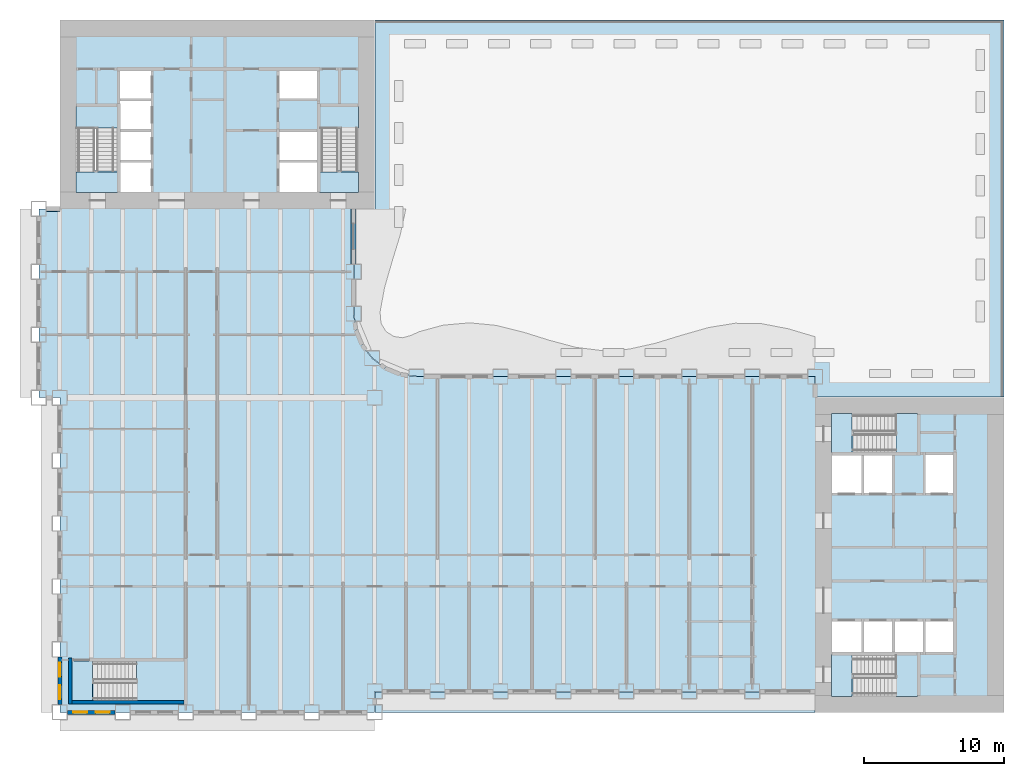
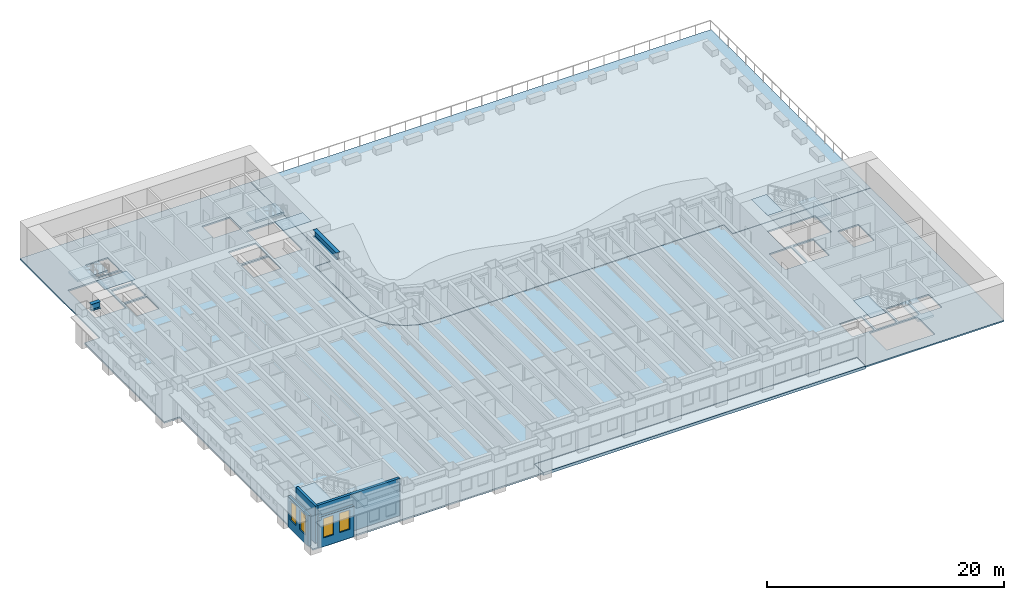
# One storey, part 2 of 18: 13 slabs, 4 walls, 4 windows, 2 beams, 4 openings, 5 elements without a shape of their own.
"""IFC4 building model written with IfcOpenShell, lengths in metres."""

from ifc_helpers import new_model, si_unit, direction, frame, frame_2d, origin, origin_2d, place, context, subcontext, project, spatial, polyline, rectangle, i_section, outline, extrude, material, layer, layer_set, material_profile, profile_set, type_object, element, fill, aggregate, save


model = new_model("IFC4")

# Units and contexts
model_context = context("Model", 3, precision=1e-05, world=origin(), true_north=direction((0.0, 1.0)))
body_context = subcontext(model_context, "Body", "Model", "MODEL_VIEW")
ifc_project = project(units=[si_unit("LENGTHUNIT", "METRE"), si_unit("AREAUNIT", "SQUARE_METRE"), si_unit("VOLUMEUNIT", "CUBIC_METRE"), si_unit("PLANEANGLEUNIT", "RADIAN"), si_unit("MASSUNIT", "GRAM", prefix="KILO")], contexts=[model_context])

# Site, building, storey
site_placement = place(None, origin())
site = spatial("IfcSite", under=ifc_project, at=site_placement, CompositionType="ELEMENT")
building_placement = place(site_placement, origin())
building = spatial("IfcBuilding", under=site, at=building_placement, Name="Sennacour Bend Tower", CompositionType="ELEMENT")
storey_placement = place(building_placement, frame((0.0, 0.0, 29.0)))
storey = spatial("IfcBuildingStorey", under=building, at=storey_placement, Name="L05", CompositionType="ELEMENT", Elevation=29.0)

# Beams
ifc_material_1 = material(Name="Steel ASTM A992 Grade 50", Category="steel")
ifc_material_profile = material_profile(ifc_material_1, i_section(OverallWidth=0.35791015625, OverallDepth=0.7060546875, WebThickness=0.018310546875, FlangeThickness=0.0302734375, FilletRadius=0.02001953125, at=origin_2d()), Name="Steel ASTM A992 Grade 50", Category="steel")
ifc_profile_set = profile_set([ifc_material_profile], Name="Steel ASTM A992 Grade 50")
beam_type = type_object("IfcBeamType", Name="Spandrel beam W690X265", PredefinedType="SPANDREL", material=ifc_profile_set)
beam_1_placement = place(storey_placement, frame((-0.949951171875, 36.0, 3.4970703125), z_axis=(1.0, 0.0, 0.0), x_axis=(0.0, 1.0, 0.0)))
element("IfcBeam", 1, at=beam_1_placement, inside=storey, type_object=beam_type, Name="Spandrel beam SP2 L06-009", PredefinedType="SPANDREL", context=body_context, shape_type="SweptSolid", body=[
    extrude(i_section(OverallWidth=0.35791015625, OverallDepth=0.7060546875, WebThickness=0.018310546875, FlangeThickness=0.0302734375, FilletRadius=0.02001953125, at=origin_2d()), origin(), (0.0, 0.0, 1.0), 0.949951171875),
])
beam_2_placement = place(storey_placement, frame((21.0, 36.0, 3.4970703125), z_axis=(0.0, -1.0, 0.0), x_axis=(1.0, 0.0, 0.0)))
element("IfcBeam", 2, at=beam_2_placement, inside=storey, type_object=beam_type, Name="Spandrel beam SP2 L06-010", PredefinedType="SPANDREL", context=body_context, shape_type="SweptSolid", body=[
    extrude(i_section(OverallWidth=0.35791015625, OverallDepth=0.7060546875, WebThickness=0.018310546875, FlangeThickness=0.0302734375, FilletRadius=0.02001953125, at=origin_2d()), origin(), (0.0, 0.0, 1.0), 3.949951171875),
])

# Slabs
ifc_material_2 = material(Name="Concrete C30/37", Category="concrete")
ifc_layer_1 = layer(ifc_material_2, 0.14990234375, Name="Concrete C30/37", Category="concrete")
ifc_layer_set_1 = layer_set([ifc_layer_1], Name="Concrete C30/37")
slab_type_1 = type_object("IfcSlabType", Name="Floor slab 150", PredefinedType="FLOOR", material=ifc_layer_set_1)
slab_1_placement = place(storey_placement, frame((0.0, 0.0, -0.14990234375)))
element("IfcSlab", 3, at=slab_1_placement, inside=storey, type_object=slab_type_1, Name="Floor slab L05-01", PredefinedType="FLOOR", context=body_context, shape_type="SweptSolid", body=[
    extrude(outline(polyline([(0.0, 22.5), (-1.5, 22.5), (-1.5, 36.0), (0.0, 36.0), (0.0, 49.5), (22.5, 49.5), (22.5, 36.0), (21.0, 36.0), (21.0, 28.5), (21.1533203125, 27.335205078125), (21.602783203125, 26.25), (22.318115234375, 25.318115234375), (23.25, 24.602783203125), (24.335205078125, 24.1533203125), (25.5, 24.0), (54.0, 24.0), (54.0, 22.5), (67.5, 22.5), (67.5, 0.0), (54.0, 0.0), (54.0, 1.5), (22.5, 1.5), (22.5, 0.0), (0.0, 0.0), (0.0, 22.5)]), holes=[polyline([(8.800048828125, 0.949951171875), (8.800048828125, 3.5), (2.429931640625, 3.5), (2.429931640625, 0.949951171875), (8.800048828125, 0.949951171875)]), polyline([(6.5, 37.199951171875), (6.5, 39.300048828125), (4.300048828125, 39.300048828125), (4.300048828125, 37.199951171875), (6.5, 37.199951171875)]), polyline([(18.39990234375, 37.199951171875), (18.39990234375, 39.300048828125), (15.699951171875, 39.300048828125), (15.699951171875, 37.199951171875), (18.39990234375, 37.199951171875)]), polyline([(6.5, 39.5), (6.5, 41.5), (4.300048828125, 41.5), (4.300048828125, 39.5), (6.5, 39.5)]), polyline([(18.39990234375, 39.5), (18.39990234375, 41.5), (15.699951171875, 41.5), (15.699951171875, 39.5), (18.39990234375, 39.5)]), polyline([(4.125, 38.72998046875), (4.125, 43.39990234375), (1.14990234375, 43.39990234375), (1.14990234375, 38.72998046875), (4.125, 38.72998046875)]), polyline([(21.35009765625, 38.72998046875), (21.35009765625, 43.39990234375), (18.574951171875, 43.39990234375), (18.574951171875, 38.72998046875), (21.35009765625, 38.72998046875)]), polyline([(4.300048828125, 41.699951171875), (6.5, 41.699951171875), (6.5, 43.699951171875), (4.300048828125, 43.699951171875), (4.300048828125, 41.699951171875)]), polyline([(4.300048828125, 43.89990234375), (6.5, 43.89990234375), (6.5, 45.89990234375), (4.300048828125, 45.89990234375), (4.300048828125, 43.89990234375)]), polyline([(18.39990234375, 43.89990234375), (18.39990234375, 45.89990234375), (15.699951171875, 45.89990234375), (15.699951171875, 43.89990234375), (18.39990234375, 43.89990234375)]), polyline([(61.39990234375, 1.14990234375), (61.39990234375, 4.125), (56.72998046875, 4.125), (56.72998046875, 1.14990234375), (61.39990234375, 1.14990234375)]), polyline([(57.300048828125, 4.300048828125), (57.300048828125, 6.5), (55.199951171875, 6.5), (55.199951171875, 4.300048828125), (57.300048828125, 4.300048828125)]), polyline([(57.5, 4.300048828125), (59.5, 4.300048828125), (59.5, 6.5), (57.5, 6.5), (57.5, 4.300048828125)]), polyline([(59.699951171875, 4.300048828125), (61.699951171875, 4.300048828125), (61.699951171875, 6.5), (59.699951171875, 6.5), (59.699951171875, 4.300048828125)]), polyline([(63.89990234375, 4.300048828125), (63.89990234375, 6.5), (61.89990234375, 6.5), (61.89990234375, 4.300048828125), (63.89990234375, 4.300048828125)]), polyline([(57.300048828125, 15.699951171875), (57.300048828125, 18.39990234375), (55.199951171875, 18.39990234375), (55.199951171875, 15.699951171875), (57.300048828125, 15.699951171875)]), polyline([(59.5, 15.699951171875), (59.5, 18.39990234375), (57.5, 18.39990234375), (57.5, 15.699951171875), (59.5, 15.699951171875)]), polyline([(61.89990234375, 15.699951171875), (63.89990234375, 15.699951171875), (63.89990234375, 18.39990234375), (61.89990234375, 18.39990234375), (61.89990234375, 15.699951171875)]), polyline([(56.72998046875, 18.574951171875), (61.39990234375, 18.574951171875), (61.39990234375, 21.35009765625), (56.72998046875, 21.35009765625), (56.72998046875, 18.574951171875)])]), origin(), (0.0, 0.0, 1.0), 0.14990234375),
])
ifc_material_3 = material(Name="Concrete C40/50", Category="concrete")
ifc_layer_2 = layer(ifc_material_3, 0.300048828125, Name="Concrete C40/50", Category="concrete")
ifc_layer_set_2 = layer_set([ifc_layer_2], Name="Concrete C40/50")
slab_type_2 = type_object("IfcSlabType", Name="Roof slab 300", PredefinedType="ROOF", material=ifc_layer_set_2)
slab_2_placement = place(storey_placement, frame((0.0, 0.0, -0.300048828125)))
element("IfcSlab", 4, at=slab_2_placement, inside=storey, type_object=slab_type_2, Name="Roof slab Podium Roof", PredefinedType="ROOF", context=body_context, shape_type="SweptSolid", body=[
    extrude(outline(polyline([(67.5, 49.5), (67.5, 22.530029296875), (54.030029296875, 22.530029296875), (54.030029296875, 24.030029296875), (25.501953125, 24.030029296875), (24.343017578125, 24.1826171875), (23.26513671875, 24.629150390625), (22.33935546875, 25.33935546875), (21.629150390625, 26.26513671875), (21.1826171875, 27.343017578125), (21.030029296875, 28.501953125), (21.030029296875, 35.969970703125), (22.530029296875, 35.969970703125), (22.530029296875, 49.5), (67.5, 49.5)])), origin(), (0.0, 0.0, 1.0), 0.300048828125),
])
slab_3_placement = place(storey_placement, frame((0.0, 0.0, -0.300048828125)))
element("IfcSlab", 5, at=slab_3_placement, inside=storey, type_object=slab_type_2, Name="Roof slab Podium Roof", PredefinedType="ROOF", context=body_context, shape_type="SweptSolid", body=[
    extrude(outline(polyline([(22.530029296875, 0.0), (22.530029296875, 1.469970703125), (53.969970703125, 1.469970703125), (53.969970703125, 0.0), (22.530029296875, 0.0)])), origin(), (0.0, 0.0, 1.0), 0.300048828125),
])
ifc_layer_3 = layer(ifc_material_3, 0.034912109375, Name="Concrete C40/50", Category="concrete")
ifc_layer_set_3 = layer_set([ifc_layer_3], Name="Concrete C40/50")
slab_type_3 = type_object("IfcSlabType", Name="Stair arrival nib 35", PredefinedType="FLOOR", material=ifc_layer_set_3)
slab_4_placement = place(storey_placement, frame((0.0, 0.0, 3.815185546875)))
element("IfcSlab", 6, at=slab_4_placement, inside=storey, type_object=slab_type_3, Name="L05 SA1 stair arrival nib", PredefinedType="FLOOR", context=body_context, shape_type="SweptSolid", body=[
    extrude(outline(polyline([(56.64208984375, 4.125), (55.14990234375, 4.125), (55.14990234375, 1.14990234375), (56.64208984375, 1.14990234375), (56.64208984375, 4.125)])), origin(), (0.0, 0.0, 1.0), 0.034912109375),
])
slab_5_placement = place(storey_placement, frame((0.0, 0.0, 3.815185546875)))
element("IfcSlab", 7, at=slab_5_placement, inside=storey, type_object=slab_type_3, Name="L05 SA2 stair arrival nib", PredefinedType="FLOOR", context=body_context, shape_type="SweptSolid", body=[
    extrude(outline(polyline([(56.64208984375, 21.35009765625), (55.14990234375, 21.35009765625), (55.14990234375, 18.574951171875), (56.64208984375, 18.574951171875), (56.64208984375, 21.35009765625)])), origin(), (0.0, 0.0, 1.0), 0.034912109375),
])
slab_6_placement = place(storey_placement, frame((0.0, 0.0, 3.815185546875)))
element("IfcSlab", 8, at=slab_6_placement, inside=storey, type_object=slab_type_3, Name="L05 SB1 stair arrival nib", PredefinedType="FLOOR", context=body_context, shape_type="SweptSolid", body=[
    extrude(outline(polyline([(1.14990234375, 38.64208984375), (1.14990234375, 37.14990234375), (4.125, 37.14990234375), (4.125, 38.64208984375), (1.14990234375, 38.64208984375)])), origin(), (0.0, 0.0, 1.0), 0.034912109375),
])
slab_7_placement = place(storey_placement, frame((0.0, 0.0, 3.815185546875)))
element("IfcSlab", 9, at=slab_7_placement, inside=storey, type_object=slab_type_3, Name="L05 SB2 stair arrival nib", PredefinedType="FLOOR", context=body_context, shape_type="SweptSolid", body=[
    extrude(outline(polyline([(18.574951171875, 38.64208984375), (18.574951171875, 37.14990234375), (21.35009765625, 37.14990234375), (21.35009765625, 38.64208984375), (18.574951171875, 38.64208984375)])), origin(), (0.0, 0.0, 1.0), 0.034912109375),
])
slab_8_placement = place(storey_placement, frame((0.0, 0.0, 3.815185546875)))
element("IfcSlab", 10, at=slab_8_placement, inside=storey, type_object=slab_type_3, Name="L05 SK1 stair arrival nib", PredefinedType="FLOOR", context=body_context, shape_type="SweptSolid", body=[
    extrude(outline(polyline([(2.342041015625, 3.675048828125), (0.800048828125, 3.675048828125), (0.800048828125, 0.800048828125), (2.342041015625, 0.800048828125), (2.342041015625, 3.675048828125)])), origin(), (0.0, 0.0, 1.0), 0.034912109375),
])

# Stair, slab
stair_type = type_object("IfcStairType", Name="ST-DOGLEG", PredefinedType="HALF_TURN_STAIR", material=ifc_material_3)
stair_1_placement = place(storey_placement, origin())
stair_1 = element("IfcStair", 11, at=stair_1_placement, inside=storey, type_object=stair_type, Name="L05 Exit stair A1", PredefinedType="HALF_TURN_STAIR")
ifc_layer_4 = layer(ifc_material_3, 0.199951171875, Name="Concrete C40/50", Category="concrete")
ifc_layer_set_4 = layer_set([ifc_layer_4], Name="Concrete C40/50")
slab_type_4 = type_object("IfcSlabType", Name="Stair landing 200", PredefinedType="LANDING", material=ifc_layer_set_4)
slab_9_placement = place(storey_placement, frame((0.0, 0.0, 1.800048828125)))
slab_9 = element("IfcSlab", 12, at=slab_9_placement, type_object=slab_type_4, Name="SA1 landing 1", PredefinedType="LANDING", context=body_context, shape_type="SweptSolid", body=[
    extrude(outline(polyline([(59.780029296875, 1.14990234375), (61.324951171875, 1.14990234375), (61.324951171875, 4.125), (59.780029296875, 4.125), (59.780029296875, 1.14990234375)])), origin(), (0.0, 0.0, 1.0), 0.199951171875),
])
aggregate(stair_1, [slab_9])

stair_2_placement = place(storey_placement, origin())
stair_2 = element("IfcStair", 13, at=stair_2_placement, inside=storey, type_object=stair_type, Name="L05 Exit stair A2", PredefinedType="HALF_TURN_STAIR")
slab_10_placement = place(storey_placement, frame((0.0, 0.0, 1.800048828125)))
slab_10 = element("IfcSlab", 14, at=slab_10_placement, type_object=slab_type_4, Name="SA2 landing 1", PredefinedType="LANDING", context=body_context, shape_type="SweptSolid", body=[
    extrude(outline(polyline([(59.780029296875, 18.574951171875), (61.324951171875, 18.574951171875), (61.324951171875, 21.35009765625), (59.780029296875, 21.35009765625), (59.780029296875, 18.574951171875)])), origin(), (0.0, 0.0, 1.0), 0.199951171875),
])
aggregate(stair_2, [slab_10])

stair_3_placement = place(storey_placement, origin())
stair_3 = element("IfcStair", 15, at=stair_3_placement, inside=storey, type_object=stair_type, Name="L05 Exit stair B1", PredefinedType="HALF_TURN_STAIR")
slab_11_placement = place(storey_placement, frame((0.0, 0.0, 1.800048828125)))
slab_11 = element("IfcSlab", 16, at=slab_11_placement, type_object=slab_type_4, Name="SB1 landing 1", PredefinedType="LANDING", context=body_context, shape_type="SweptSolid", body=[
    extrude(outline(polyline([(1.14990234375, 41.780029296875), (4.125, 41.780029296875), (4.125, 43.324951171875), (1.14990234375, 43.324951171875), (1.14990234375, 41.780029296875)])), origin(), (0.0, 0.0, 1.0), 0.199951171875),
])
aggregate(stair_3, [slab_11])

stair_4_placement = place(storey_placement, origin())
stair_4 = element("IfcStair", 17, at=stair_4_placement, inside=storey, type_object=stair_type, Name="L05 Exit stair B2", PredefinedType="HALF_TURN_STAIR")
slab_12_placement = place(storey_placement, frame((0.0, 0.0, 1.800048828125)))
slab_12 = element("IfcSlab", 18, at=slab_12_placement, type_object=slab_type_4, Name="SB2 landing 1", PredefinedType="LANDING", context=body_context, shape_type="SweptSolid", body=[
    extrude(outline(polyline([(18.574951171875, 41.780029296875), (21.35009765625, 41.780029296875), (21.35009765625, 43.324951171875), (18.574951171875, 43.324951171875), (18.574951171875, 41.780029296875)])), origin(), (0.0, 0.0, 1.0), 0.199951171875),
])
aggregate(stair_4, [slab_12])

stair_5_placement = place(storey_placement, origin())
stair_5 = element("IfcStair", 19, at=stair_5_placement, inside=storey, type_object=stair_type, Name="L05 Exit stair K1", PredefinedType="HALF_TURN_STAIR")
slab_13_placement = place(storey_placement, frame((0.0, 0.0, 1.800048828125)))
slab_13 = element("IfcSlab", 20, at=slab_13_placement, type_object=slab_type_4, Name="SK1 landing 1", PredefinedType="LANDING", context=body_context, shape_type="SweptSolid", body=[
    extrude(outline(polyline([(5.47998046875, 0.800048828125), (8.925048828125, 0.800048828125), (8.925048828125, 3.675048828125), (5.47998046875, 3.675048828125), (5.47998046875, 0.800048828125)])), origin(), (0.0, 0.0, 1.0), 0.199951171875),
])
aggregate(stair_5, [slab_13])

# Wall, openings, windows
ifc_material_4 = material(Name="Warm limestone cladding", Category="masonry")
ifc_layer_5 = layer(ifc_material_4, 0.050048828125, Name="Warm limestone cladding", Category="masonry")
ifc_material_5 = material(Name="Precast concrete C40/50", Category="concrete")
ifc_layer_6 = layer(ifc_material_5, 0.25, Name="Precast concrete C40/50", Category="concrete")
ifc_layer_set_5 = layer_set([ifc_layer_5, ifc_layer_6], Name="Precast concrete C40/50 with limestone cladding")
wall_type_1 = type_object("IfcWallType", Name="STONE-CLAD PRECAST SPANDREL 300", PredefinedType="STANDARD", material=ifc_layer_set_5)
wall_1_placement = place(storey_placement, frame((0.550048828125, 0.0, 0.0), z_axis=(0.0, 0.0, 1.0), x_axis=(1.0, 0.0, 0.0)))
wall_1 = element("IfcWall", 21, at=wall_1_placement, inside=storey, type_object=wall_type_1, Name="Stone spandrel and pier wall L05 00.00", PredefinedType="STANDARD", context=body_context, shape_type="SweptSolid", body=[
    extrude(rectangle(XDim=3.39990234375, YDim=0.300048828125, at=frame_2d((1.699951171875, 0.0))), origin(), (0.0, 0.0, 1.0), 3.14404296875),
])
opening_1_placement = place(wall_1_placement, frame((0.39990234375, 0.0, 0.89990234375)))
opening_1 = element("IfcOpeningElement", 22, at=opening_1_placement, cuts=wall_1, Name="Opening W8", PredefinedType="OPENING", context=body_context, shape_type="SweptSolid", body=[
    extrude(rectangle(XDim=1.0, YDim=2.0, at=frame_2d((0.5, 1.0))), frame((0.0, 0.16015625, 0.0), z_axis=(0.0, -1.0, 0.0), x_axis=(1.0, 0.0, 0.0)), (0.0, 0.0, 1.0), 0.320068359375),
])
opening_2_placement = place(wall_1_placement, frame((2.0, 0.0, 0.89990234375)))
opening_2 = element("IfcOpeningElement", 23, at=opening_2_placement, cuts=wall_1, Name="Opening W8", PredefinedType="OPENING", context=body_context, shape_type="SweptSolid", body=[
    extrude(rectangle(XDim=1.0, YDim=2.0, at=frame_2d((0.5, 1.0))), frame((0.0, 0.16015625, 0.0), z_axis=(0.0, -1.0, 0.0), x_axis=(1.0, 0.0, 0.0)), (0.0, 0.0, 1.0), 0.320068359375),
])
ifc_material_6 = material(Name="Clear low-emissivity glass", Category="glass")
window_type = type_object("IfcWindowType", Name="WIN-RIBBON-1000x2000", PartitioningType="SINGLE_PANEL", PredefinedType="WINDOW", material=ifc_material_6)
window_1_placement = place(opening_1_placement, origin())
window_1 = element("IfcWindow", 24, at=window_1_placement, inside=storey, type_object=window_type, Name="Ribbon window L05 00.00.0", OverallHeight=2.0, OverallWidth=1.0, PartitioningType="SINGLE_PANEL", PredefinedType="WINDOW", context=body_context, shape_type="SweptSolid", body=[
    extrude(rectangle(XDim=1.0, YDim=2.0, at=frame_2d((0.5, 1.0))), frame((0.0, 0.030029296875, 0.0), z_axis=(0.0, -1.0, 0.0), x_axis=(1.0, 0.0, 0.0)), (0.0, 0.0, 1.0), 0.06005859375),
])
fill(opening_1, window_1)
window_2_placement = place(opening_2_placement, origin())
window_2 = element("IfcWindow", 25, at=window_2_placement, inside=storey, type_object=window_type, Name="Ribbon window L05 00.00.1", OverallHeight=2.0, OverallWidth=1.0, PartitioningType="SINGLE_PANEL", PredefinedType="WINDOW", context=body_context, shape_type="SweptSolid", body=[
    extrude(rectangle(XDim=1.0, YDim=2.0, at=frame_2d((0.5, 1.0))), frame((0.0, 0.030029296875, 0.0), z_axis=(0.0, -1.0, 0.0), x_axis=(1.0, 0.0, 0.0)), (0.0, 0.0, 1.0), 0.06005859375),
])
fill(opening_2, window_2)

wall_2_placement = place(storey_placement, frame((0.0, 3.949951171875, 0.0), z_axis=(0.0, 0.0, 1.0), x_axis=(0.0, -1.0, 0.0)))
wall_2 = element("IfcWall", 26, at=wall_2_placement, inside=storey, type_object=wall_type_1, Name="Stone spandrel and pier wall L05 23.04", PredefinedType="STANDARD", context=body_context, shape_type="SweptSolid", body=[
    extrude(rectangle(XDim=3.39990234375, YDim=0.300048828125, at=frame_2d((1.699951171875, 0.0))), origin(), (0.0, 0.0, 1.0), 3.14404296875),
])
opening_3_placement = place(wall_2_placement, frame((0.39990234375, 0.0, 0.89990234375)))
opening_3 = element("IfcOpeningElement", 27, at=opening_3_placement, cuts=wall_2, Name="Opening W8", PredefinedType="OPENING", context=body_context, shape_type="SweptSolid", body=[
    extrude(rectangle(XDim=1.0, YDim=2.0, at=frame_2d((0.5, 1.0))), frame((0.0, 0.16015625, 0.0), z_axis=(0.0, -1.0, 0.0), x_axis=(1.0, 0.0, 0.0)), (0.0, 0.0, 1.0), 0.320068359375),
])
opening_4_placement = place(wall_2_placement, frame((2.0, 0.0, 0.89990234375)))
opening_4 = element("IfcOpeningElement", 28, at=opening_4_placement, cuts=wall_2, Name="Opening W8", PredefinedType="OPENING", context=body_context, shape_type="SweptSolid", body=[
    extrude(rectangle(XDim=1.0, YDim=2.0, at=frame_2d((0.5, 1.0))), frame((0.0, 0.16015625, 0.0), z_axis=(0.0, -1.0, 0.0), x_axis=(1.0, 0.0, 0.0)), (0.0, 0.0, 1.0), 0.320068359375),
])
window_3_placement = place(opening_3_placement, origin())
window_3 = element("IfcWindow", 29, at=window_3_placement, inside=storey, type_object=window_type, Name="Ribbon window L05 23.04.0", OverallHeight=2.0, OverallWidth=1.0, PartitioningType="SINGLE_PANEL", PredefinedType="WINDOW", context=body_context, shape_type="SweptSolid", body=[
    extrude(rectangle(XDim=1.0, YDim=2.0, at=frame_2d((0.5, 1.0))), frame((0.0, 0.030029296875, 0.0), z_axis=(0.0, -1.0, 0.0), x_axis=(1.0, 0.0, 0.0)), (0.0, 0.0, 1.0), 0.06005859375),
])
fill(opening_3, window_3)
window_4_placement = place(opening_4_placement, origin())
window_4 = element("IfcWindow", 30, at=window_4_placement, inside=storey, type_object=window_type, Name="Ribbon window L05 23.04.1", OverallHeight=2.0, OverallWidth=1.0, PartitioningType="SINGLE_PANEL", PredefinedType="WINDOW", context=body_context, shape_type="SweptSolid", body=[
    extrude(rectangle(XDim=1.0, YDim=2.0, at=frame_2d((0.5, 1.0))), frame((0.0, 0.030029296875, 0.0), z_axis=(0.0, -1.0, 0.0), x_axis=(1.0, 0.0, 0.0)), (0.0, 0.0, 1.0), 0.06005859375),
])
fill(opening_4, window_4)

# Walls
ifc_material_7 = material(Name="Concrete C60/75", Category="concrete")
ifc_layer_7 = layer(ifc_material_7, 0.25, Name="Concrete C60/75", Category="concrete")
ifc_layer_set_6 = layer_set([ifc_layer_7], Name="Concrete C60/75")
wall_type_2 = type_object("IfcWallType", Name="Stair wall 250", PredefinedType="SHEAR", material=ifc_layer_set_6)
wall_3_placement = place(storey_placement, frame((0.72509765625, 0.60009765625, 0.0), z_axis=(0.0, 0.0, 1.0), x_axis=(0.0, 1.0, 0.0)))
element("IfcWall", 31, at=wall_3_placement, inside=storey, type_object=wall_type_2, Name="P-L05-W003", PredefinedType="SHEAR", context=body_context, shape_type="SweptSolid", body=[
    extrude(rectangle(XDim=3.27490234375, YDim=0.25, at=frame_2d((1.637451171875, 0.0))), origin(), (0.0, 0.0, 1.0), 3.85009765625),
])
wall_4_placement = place(storey_placement, frame((0.85009765625, 0.72509765625, 0.0), z_axis=(0.0, 0.0, 1.0), x_axis=(1.0, 0.0, 0.0)))
element("IfcWall", 32, at=wall_4_placement, inside=storey, type_object=wall_type_2, Name="P-L05-W051", PredefinedType="SHEAR", context=body_context, shape_type="SweptSolid", body=[
    extrude(rectangle(XDim=8.02490234375, YDim=0.25, at=frame_2d((4.012451171875, 0.0))), origin(), (0.0, 0.0, 1.0), 3.85009765625),
])

save(model, "model.ifc")
